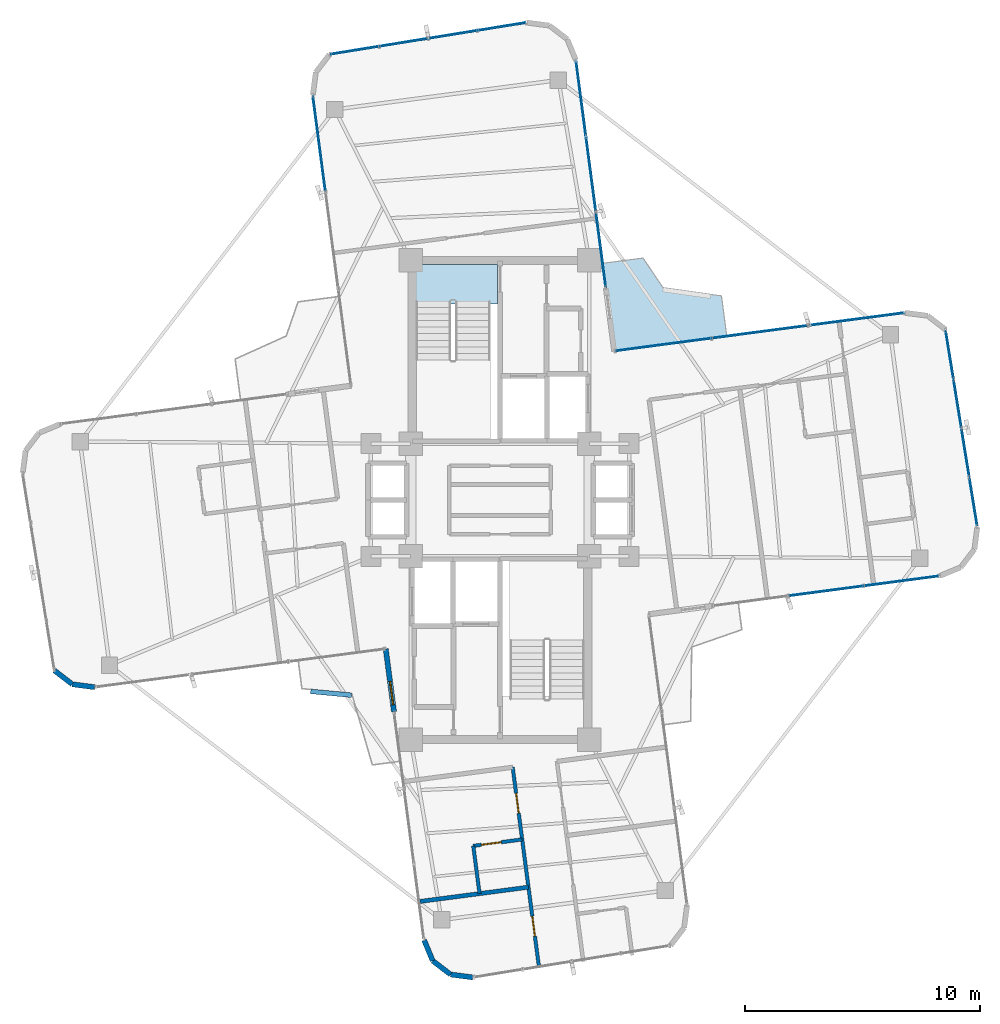
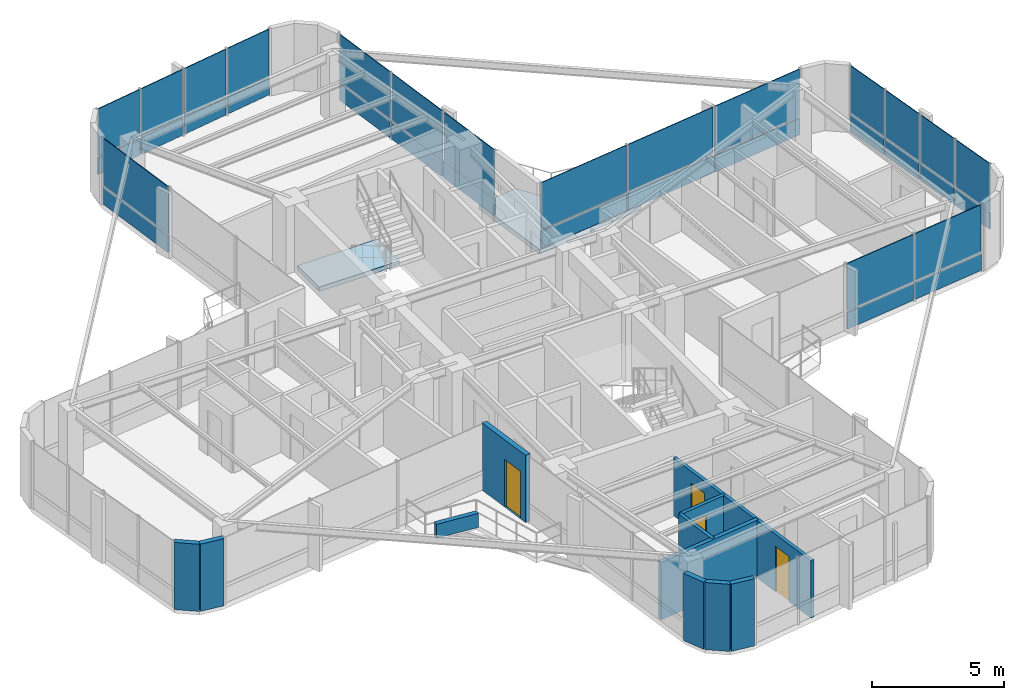
# One storey, part 17 of 21: 34 plates, 11 walls, 4 doors, 2 slabs, 4 openings, 6 elements without a shape of their own.
"""IFC4 building model written with IfcOpenShell, lengths in metres."""

from ifc_helpers import new_model, si_unit, direction, frame, frame_2d, origin, origin_2d, place, context, subcontext, project, spatial, polyline, rectangle, outline, extrude, source, transform, mapped, material, layer, layer_set, type_object, element, fill, aggregate, save


model = new_model("IFC4")

# Units and contexts
model_context = context("Model", 3, precision=1e-05, world=origin(), true_north=direction((0.0, 1.0)))
body_context = subcontext(model_context, "Body", "Model", "MODEL_VIEW")
ifc_project = project(units=[si_unit("LENGTHUNIT", "METRE"), si_unit("AREAUNIT", "SQUARE_METRE"), si_unit("VOLUMEUNIT", "CUBIC_METRE"), si_unit("PLANEANGLEUNIT", "RADIAN"), si_unit("MASSUNIT", "GRAM", prefix="KILO")], contexts=[model_context])

# Site, building, storey
site_placement = place(None, origin())
site = spatial("IfcSite", under=ifc_project, at=site_placement, CompositionType="ELEMENT")
building_placement = place(site_placement, origin())
building = spatial("IfcBuilding", under=site, at=building_placement, Name="Sahyath Konkavel Grand Hotel", CompositionType="ELEMENT")
storey_placement = place(building_placement, frame((0.0, 0.0, 216.550048828125)))
storey = spatial("IfcBuildingStorey", under=building, at=storey_placement, Name="L60", CompositionType="ELEMENT", Elevation=216.550048828125)

# Slabs
ifc_material_1 = material(Name="Concrete C40/50", Category="concrete")
ifc_layer_1 = layer(ifc_material_1, 0.219970703125)
ifc_layer_set_1 = layer_set([ifc_layer_1], Name="Concrete C40/50")
slab_type_1 = type_object("IfcSlabType", Name="SLB-BALCONY-220", PredefinedType="FLOOR", material=ifc_layer_set_1)
slab_1_placement = place(storey_placement, frame((0.0, 0.0, -0.219970703125)))
element("IfcSlab", 1, at=slab_1_placement, inside=storey, type_object=slab_type_1, Name="L60 Winter-Garden Balcony NE", PredefinedType="FLOOR", context=body_context, shape_type="SweptSolid", body=[
    extrude(outline(polyline([(4.8642578125, 6.339111328125), (9.65478515625, 6.9697265625), (9.4287109375, 8.68798828125), (6.936279296875, 9.039794921875), (6.090576171875, 10.301025390625), (4.372314453125, 10.074951171875), (4.8642578125, 6.339111328125)])), origin(), (0.0, 0.0, 1.0), 0.219970703125),
])
ifc_layer_2 = layer(ifc_material_1, 0.199951171875)
ifc_layer_set_2 = layer_set([ifc_layer_2], Name="Concrete C40/50")
slab_type_2 = type_object("IfcSlabType", Name="SLB-STAIR-LND", PredefinedType="LANDING", material=ifc_layer_set_2)
slab_2_placement = place(storey_placement, frame((0.0, 0.0, -0.199951171875)))
element("IfcSlab", 2, at=slab_2_placement, inside=storey, type_object=slab_type_2, Name="L60 Stair ST-1 Floor Landing Slab", PredefinedType="LANDING", context=body_context, shape_type="SweptSolid", body=[
    extrude(outline(polyline([(-3.6201171875, 8.35009765625), (-0.10009765625, 8.35009765625), (-0.10009765625, 10.02001953125), (-3.6201171875, 10.02001953125), (-3.6201171875, 8.35009765625)])), origin(), (0.0, 0.0, 1.0), 0.199951171875),
])

# Curtain wall, plates
ifc_material_2 = material(Name="Anodised Bronze Aluminium & Low-E Glazing", Category="aluminium")
curtain_wall_type = type_object("IfcCurtainWallType", Name="CW-ZONE4", PredefinedType="NOTDEFINED", material=ifc_material_2)
curtain_wall_1_placement = place(storey_placement, origin())
curtain_wall_1 = element("IfcCurtainWall", 3, at=curtain_wall_1_placement, inside=storey, type_object=curtain_wall_type, Name="L60 Unitised Curtain Wall F0", PredefinedType="NOTDEFINED")
ifc_material_3 = material(Name="Warm Buff Sandstone Cladding", Category="masonry")
ifc_layer_3 = layer(ifc_material_3, 0.074951171875)
ifc_layer_set_3 = layer_set([ifc_layer_3], Name="Warm Buff Sandstone Cladding")
plate_type_1 = type_object("IfcPlateType", Name="PNL-SPANDREL-STONE", PredefinedType="SHEET", material=ifc_layer_set_3)
shared_shape_1 = source(origin(), body_context, "Body", "SweptSolid", [
    extrude(rectangle(XDim=3.159912109375, YDim=0.074951171875, at=origin_2d()), origin(), (0.0, 0.0, 1.0), 0.77001953125),
])
plate_1_placement = place(storey_placement, frame((13.8740234375, -3.872314453125, 0.0400390625), z_axis=(0.0, 0.0, 1.0), x_axis=(0.991444861374, 0.13052619222, 0.0)))
plate_1 = element("IfcPlate", 4, at=plate_1_placement, type_object=plate_type_1, Name="L60 Sandstone Relief Spandrel Panel F0-1", PredefinedType="SHEET", context=body_context, shape_type="MappedRepresentation", body=[
    mapped(shared_shape_1, transform((0.0, 0.0, 0.0), scale=1.0)),
])
plate_2_placement = place(storey_placement, frame((17.086181640625, -3.44921875, 0.0400390625), z_axis=(0.0, 0.0, 1.0), x_axis=(0.991444861374, 0.13052619222, 0.0)))
plate_2 = element("IfcPlate", 5, at=plate_2_placement, type_object=plate_type_1, Name="L60 Sandstone Relief Spandrel Panel F0-2", PredefinedType="SHEET", context=body_context, shape_type="MappedRepresentation", body=[
    mapped(shared_shape_1, transform((0.0, 0.0, 0.0), scale=1.0)),
])

curtain_wall_2_placement = place(storey_placement, origin())
curtain_wall_2 = element("IfcCurtainWall", 6, at=curtain_wall_2_placement, inside=storey, type_object=curtain_wall_type, Name="L60 Unitised Curtain Wall F8", PredefinedType="NOTDEFINED")
plate_3_placement = place(storey_placement, frame((4.295166015625, 10.661865234375, 0.0400390625), z_axis=(0.0, 0.0, 1.0), x_axis=(-0.13052619222, 0.991444861374, 0.0)))
plate_3 = element("IfcPlate", 7, at=plate_3_placement, type_object=plate_type_1, Name="L60 Sandstone Relief Spandrel Panel F8-0", PredefinedType="SHEET", context=body_context, shape_type="MappedRepresentation", body=[
    mapped(shared_shape_1, transform((0.0, 0.0, 0.0), scale=1.0)),
])
plate_4_placement = place(storey_placement, frame((3.872314453125, 13.8740234375, 0.0400390625), z_axis=(0.0, 0.0, 1.0), x_axis=(-0.13052619222, 0.991444861374, 0.0)))
plate_4 = element("IfcPlate", 8, at=plate_4_placement, type_object=plate_type_1, Name="L60 Sandstone Relief Spandrel Panel F8-1", PredefinedType="SHEET", context=body_context, shape_type="MappedRepresentation", body=[
    mapped(shared_shape_1, transform((0.0, 0.0, 0.0), scale=1.0)),
])
plate_5_placement = place(storey_placement, frame((3.44921875, 17.086181640625, 0.0400390625), z_axis=(0.0, 0.0, 1.0), x_axis=(-0.13052619222, 0.991444861374, 0.0)))
plate_5 = element("IfcPlate", 9, at=plate_5_placement, type_object=plate_type_1, Name="L60 Sandstone Relief Spandrel Panel F8-2", PredefinedType="SHEET", context=body_context, shape_type="MappedRepresentation", body=[
    mapped(shared_shape_1, transform((0.0, 0.0, 0.0), scale=1.0)),
])

# Plate
ifc_material_4 = material(Name="Low-E Solar Control Double Glazing", Category="glass")
ifc_layer_4 = layer(ifc_material_4, 0.035888671875)
ifc_layer_set_4 = layer_set([ifc_layer_4], Name="Low-E Solar Control Double Glazing")
plate_type_2 = type_object("IfcPlateType", Name="PNL-VISION-LOWE", PredefinedType="CURTAIN_PANEL", material=ifc_layer_set_4)
shared_shape_2 = source(origin(), body_context, "Body", "SweptSolid", [
    extrude(rectangle(XDim=3.159912109375, YDim=0.035888671875, at=origin_2d()), origin(), (0.0, 0.0, 1.0), 2.179931640625),
])
plate_6_placement = place(storey_placement, frame((13.8740234375, -3.872314453125, 0.89013671875), z_axis=(0.0, 0.0, 1.0), x_axis=(0.991444861374, 0.13052619222, 0.0)))
plate_6 = element("IfcPlate", 10, at=plate_6_placement, type_object=plate_type_2, Name="L60 Low-E Vision Glazing Panel F0-1", PredefinedType="CURTAIN_PANEL", context=body_context, shape_type="MappedRepresentation", body=[
    mapped(shared_shape_2, transform((0.0, 0.0, 0.0), scale=1.0)),
])

plate_7_placement = place(storey_placement, frame((17.086181640625, -3.44921875, 0.89013671875), z_axis=(0.0, 0.0, 1.0), x_axis=(0.991444861374, 0.13052619222, 0.0)))
plate_7 = element("IfcPlate", 11, at=plate_7_placement, type_object=plate_type_2, Name="L60 Low-E Vision Glazing Panel F0-2", PredefinedType="CURTAIN_PANEL", context=body_context, shape_type="MappedRepresentation", body=[
    mapped(shared_shape_2, transform((0.0, 0.0, 0.0), scale=1.0)),
])

aggregate(curtain_wall_1, [plate_1, plate_6, plate_2, plate_7])

plate_8_placement = place(storey_placement, frame((4.295166015625, 10.661865234375, 0.89013671875), z_axis=(0.0, 0.0, 1.0), x_axis=(-0.13052619222, 0.991444861374, 0.0)))
plate_8 = element("IfcPlate", 12, at=plate_8_placement, type_object=plate_type_2, Name="L60 Low-E Vision Glazing Panel F8-0", PredefinedType="CURTAIN_PANEL", context=body_context, shape_type="MappedRepresentation", body=[
    mapped(shared_shape_2, transform((0.0, 0.0, 0.0), scale=1.0)),
])

plate_9_placement = place(storey_placement, frame((3.872314453125, 13.8740234375, 0.89013671875), z_axis=(0.0, 0.0, 1.0), x_axis=(-0.13052619222, 0.991444861374, 0.0)))
plate_9 = element("IfcPlate", 13, at=plate_9_placement, type_object=plate_type_2, Name="L60 Low-E Vision Glazing Panel F8-1", PredefinedType="CURTAIN_PANEL", context=body_context, shape_type="MappedRepresentation", body=[
    mapped(shared_shape_2, transform((0.0, 0.0, 0.0), scale=1.0)),
])

plate_10_placement = place(storey_placement, frame((3.44921875, 17.086181640625, 0.89013671875), z_axis=(0.0, 0.0, 1.0), x_axis=(-0.13052619222, 0.991444861374, 0.0)))
plate_10 = element("IfcPlate", 14, at=plate_10_placement, type_object=plate_type_2, Name="L60 Low-E Vision Glazing Panel F8-2", PredefinedType="CURTAIN_PANEL", context=body_context, shape_type="MappedRepresentation", body=[
    mapped(shared_shape_2, transform((0.0, 0.0, 0.0), scale=1.0)),
])

aggregate(curtain_wall_2, [plate_3, plate_8, plate_4, plate_9, plate_5, plate_10])

# Curtain wall, plates
curtain_wall_3_placement = place(storey_placement, origin())
curtain_wall_3 = element("IfcCurtainWall", 15, at=curtain_wall_3_placement, inside=storey, type_object=curtain_wall_type, Name="L60 Unitised Curtain Wall F4", PredefinedType="NOTDEFINED")
shared_shape_3 = source(origin(), body_context, "Body", "SweptSolid", [
    extrude(rectangle(XDim=2.031982421875, YDim=0.074951171875, at=origin_2d()), origin(), (0.0, 0.0, 1.0), 0.77001953125),
])
plate_11_placement = place(storey_placement, frame((20.150390625, -0.074951171875, 0.0400390625), z_axis=(0.0, 0.0, 1.0), x_axis=(-0.159295381124, 0.98723096667, 0.0)))
plate_11 = element("IfcPlate", 16, at=plate_11_placement, type_object=plate_type_1, Name="L60 Sandstone Relief Spandrel Panel F4-0", PredefinedType="SHEET", context=body_context, shape_type="MappedRepresentation", body=[
    mapped(shared_shape_3, transform((0.0, 0.0, 0.0), scale=1.0)),
])
plate_12_placement = place(storey_placement, frame((19.81396484375, 2.01025390625, 0.0400390625), z_axis=(0.0, 0.0, 1.0), x_axis=(-0.159295381124, 0.98723096667, 0.0)))
plate_12 = element("IfcPlate", 17, at=plate_12_placement, type_object=plate_type_1, Name="L60 Sandstone Relief Spandrel Panel F4-1", PredefinedType="SHEET", context=body_context, shape_type="MappedRepresentation", body=[
    mapped(shared_shape_3, transform((0.0, 0.0, 0.0), scale=1.0)),
])
plate_13_placement = place(storey_placement, frame((19.477294921875, 4.095458984375, 0.0400390625), z_axis=(0.0, 0.0, 1.0), x_axis=(-0.159295381124, 0.98723096667, 0.0)))
plate_13 = element("IfcPlate", 18, at=plate_13_placement, type_object=plate_type_1, Name="L60 Sandstone Relief Spandrel Panel F4-2", PredefinedType="SHEET", context=body_context, shape_type="MappedRepresentation", body=[
    mapped(shared_shape_3, transform((0.0, 0.0, 0.0), scale=1.0)),
])
plate_14_placement = place(storey_placement, frame((19.14111328125, 6.1806640625, 0.0400390625), z_axis=(0.0, 0.0, 1.0), x_axis=(-0.159295381124, 0.98723096667, 0.0)))
plate_14 = element("IfcPlate", 19, at=plate_14_placement, type_object=plate_type_1, Name="L60 Sandstone Relief Spandrel Panel F4-3", PredefinedType="SHEET", context=body_context, shape_type="MappedRepresentation", body=[
    mapped(shared_shape_3, transform((0.0, 0.0, 0.0), scale=1.0)),
])

curtain_wall_4_placement = place(storey_placement, origin())
curtain_wall_4 = element("IfcCurtainWall", 20, at=curtain_wall_4_placement, inside=storey, type_object=curtain_wall_type, Name="L60 Unitised Curtain Wall F12", PredefinedType="NOTDEFINED")
plate_15_placement = place(storey_placement, frame((0.074951171875, 20.150390625, 0.0400390625), z_axis=(0.0, 0.0, 1.0), x_axis=(-0.98723096667, -0.159295381124, 0.0)))
plate_15 = element("IfcPlate", 21, at=plate_15_placement, type_object=plate_type_1, Name="L60 Sandstone Relief Spandrel Panel F12-0", PredefinedType="SHEET", context=body_context, shape_type="MappedRepresentation", body=[
    mapped(shared_shape_3, transform((0.0, 0.0, 0.0), scale=1.0)),
])
plate_16_placement = place(storey_placement, frame((-2.01025390625, 19.81396484375, 0.0400390625), z_axis=(0.0, 0.0, 1.0), x_axis=(-0.98723096667, -0.159295381124, 0.0)))
plate_16 = element("IfcPlate", 22, at=plate_16_placement, type_object=plate_type_1, Name="L60 Sandstone Relief Spandrel Panel F12-1", PredefinedType="SHEET", context=body_context, shape_type="MappedRepresentation", body=[
    mapped(shared_shape_3, transform((0.0, 0.0, 0.0), scale=1.0)),
])
plate_17_placement = place(storey_placement, frame((-4.095458984375, 19.477294921875, 0.0400390625), z_axis=(0.0, 0.0, 1.0), x_axis=(-0.98723096667, -0.159295381124, 0.0)))
plate_17 = element("IfcPlate", 23, at=plate_17_placement, type_object=plate_type_1, Name="L60 Sandstone Relief Spandrel Panel F12-2", PredefinedType="SHEET", context=body_context, shape_type="MappedRepresentation", body=[
    mapped(shared_shape_3, transform((0.0, 0.0, 0.0), scale=1.0)),
])
plate_18_placement = place(storey_placement, frame((-6.1806640625, 19.14111328125, 0.0400390625), z_axis=(0.0, 0.0, 1.0), x_axis=(-0.98723096667, -0.159295381124, 0.0)))
plate_18 = element("IfcPlate", 24, at=plate_18_placement, type_object=plate_type_1, Name="L60 Sandstone Relief Spandrel Panel F12-3", PredefinedType="SHEET", context=body_context, shape_type="MappedRepresentation", body=[
    mapped(shared_shape_3, transform((0.0, 0.0, 0.0), scale=1.0)),
])

# Plate
shared_shape_4 = source(origin(), body_context, "Body", "SweptSolid", [
    extrude(rectangle(XDim=2.031982421875, YDim=0.035888671875, at=origin_2d()), origin(), (0.0, 0.0, 1.0), 2.179931640625),
])
plate_19_placement = place(storey_placement, frame((20.150390625, -0.074951171875, 0.89013671875), z_axis=(0.0, 0.0, 1.0), x_axis=(-0.159295381124, 0.98723096667, 0.0)))
plate_19 = element("IfcPlate", 25, at=plate_19_placement, type_object=plate_type_2, Name="L60 Low-E Vision Glazing Panel F4-0", PredefinedType="CURTAIN_PANEL", context=body_context, shape_type="MappedRepresentation", body=[
    mapped(shared_shape_4, transform((0.0, 0.0, 0.0), scale=1.0)),
])

plate_20_placement = place(storey_placement, frame((19.81396484375, 2.01025390625, 0.89013671875), z_axis=(0.0, 0.0, 1.0), x_axis=(-0.159295381124, 0.98723096667, 0.0)))
plate_20 = element("IfcPlate", 26, at=plate_20_placement, type_object=plate_type_2, Name="L60 Low-E Vision Glazing Panel F4-1", PredefinedType="CURTAIN_PANEL", context=body_context, shape_type="MappedRepresentation", body=[
    mapped(shared_shape_4, transform((0.0, 0.0, 0.0), scale=1.0)),
])

plate_21_placement = place(storey_placement, frame((19.477294921875, 4.095458984375, 0.89013671875), z_axis=(0.0, 0.0, 1.0), x_axis=(-0.159295381124, 0.98723096667, 0.0)))
plate_21 = element("IfcPlate", 27, at=plate_21_placement, type_object=plate_type_2, Name="L60 Low-E Vision Glazing Panel F4-2", PredefinedType="CURTAIN_PANEL", context=body_context, shape_type="MappedRepresentation", body=[
    mapped(shared_shape_4, transform((0.0, 0.0, 0.0), scale=1.0)),
])

plate_22_placement = place(storey_placement, frame((19.14111328125, 6.1806640625, 0.89013671875), z_axis=(0.0, 0.0, 1.0), x_axis=(-0.159295381124, 0.98723096667, 0.0)))
plate_22 = element("IfcPlate", 28, at=plate_22_placement, type_object=plate_type_2, Name="L60 Low-E Vision Glazing Panel F4-3", PredefinedType="CURTAIN_PANEL", context=body_context, shape_type="MappedRepresentation", body=[
    mapped(shared_shape_4, transform((0.0, 0.0, 0.0), scale=1.0)),
])

aggregate(curtain_wall_3, [plate_11, plate_19, plate_12, plate_20, plate_13, plate_21, plate_14, plate_22])

plate_23_placement = place(storey_placement, frame((0.074951171875, 20.150390625, 0.89013671875), z_axis=(0.0, 0.0, 1.0), x_axis=(-0.98723096667, -0.159295381124, 0.0)))
plate_23 = element("IfcPlate", 29, at=plate_23_placement, type_object=plate_type_2, Name="L60 Low-E Vision Glazing Panel F12-0", PredefinedType="CURTAIN_PANEL", context=body_context, shape_type="MappedRepresentation", body=[
    mapped(shared_shape_4, transform((0.0, 0.0, 0.0), scale=1.0)),
])

plate_24_placement = place(storey_placement, frame((-2.01025390625, 19.81396484375, 0.89013671875), z_axis=(0.0, 0.0, 1.0), x_axis=(-0.98723096667, -0.159295381124, 0.0)))
plate_24 = element("IfcPlate", 30, at=plate_24_placement, type_object=plate_type_2, Name="L60 Low-E Vision Glazing Panel F12-1", PredefinedType="CURTAIN_PANEL", context=body_context, shape_type="MappedRepresentation", body=[
    mapped(shared_shape_4, transform((0.0, 0.0, 0.0), scale=1.0)),
])

plate_25_placement = place(storey_placement, frame((-4.095458984375, 19.477294921875, 0.89013671875), z_axis=(0.0, 0.0, 1.0), x_axis=(-0.98723096667, -0.159295381124, 0.0)))
plate_25 = element("IfcPlate", 31, at=plate_25_placement, type_object=plate_type_2, Name="L60 Low-E Vision Glazing Panel F12-2", PredefinedType="CURTAIN_PANEL", context=body_context, shape_type="MappedRepresentation", body=[
    mapped(shared_shape_4, transform((0.0, 0.0, 0.0), scale=1.0)),
])

plate_26_placement = place(storey_placement, frame((-6.1806640625, 19.14111328125, 0.89013671875), z_axis=(0.0, 0.0, 1.0), x_axis=(-0.98723096667, -0.159295381124, 0.0)))
plate_26 = element("IfcPlate", 32, at=plate_26_placement, type_object=plate_type_2, Name="L60 Low-E Vision Glazing Panel F12-3", PredefinedType="CURTAIN_PANEL", context=body_context, shape_type="MappedRepresentation", body=[
    mapped(shared_shape_4, transform((0.0, 0.0, 0.0), scale=1.0)),
])

aggregate(curtain_wall_4, [plate_15, plate_23, plate_16, plate_24, plate_17, plate_25, plate_18, plate_26])

# Curtain wall, plates
curtain_wall_5_placement = place(storey_placement, origin())
curtain_wall_5 = element("IfcCurtainWall", 33, at=curtain_wall_5_placement, inside=storey, type_object=curtain_wall_type, Name="L60 Unitised Curtain Wall F7", PredefinedType="NOTDEFINED")
shared_shape_5 = source(origin(), body_context, "Body", "SweptSolid", [
    extrude(rectangle(XDim=4.06005859375, YDim=0.074951171875, at=origin_2d()), origin(), (0.0, 0.0, 1.0), 0.77001953125),
])
plate_27_placement = place(storey_placement, frame((15.165283203125, 7.6953125, 0.0400390625), z_axis=(0.0, 0.0, 1.0), x_axis=(-0.991444861374, -0.13052619222, 0.0)))
plate_27 = element("IfcPlate", 34, at=plate_27_placement, type_object=plate_type_1, Name="L60 Sandstone Relief Spandrel Panel F7-0", PredefinedType="SHEET", context=body_context, shape_type="MappedRepresentation", body=[
    mapped(shared_shape_5, transform((0.0, 0.0, 0.0), scale=1.0)),
])
plate_28_placement = place(storey_placement, frame((11.060791015625, 7.15478515625, 0.0400390625), z_axis=(0.0, 0.0, 1.0), x_axis=(-0.991444861374, -0.13052619222, 0.0)))
plate_28 = element("IfcPlate", 35, at=plate_28_placement, type_object=plate_type_1, Name="L60 Sandstone Relief Spandrel Panel F7-1", PredefinedType="SHEET", context=body_context, shape_type="MappedRepresentation", body=[
    mapped(shared_shape_5, transform((0.0, 0.0, 0.0), scale=1.0)),
])
plate_29_placement = place(storey_placement, frame((6.956298828125, 6.614501953125, 0.0400390625), z_axis=(0.0, 0.0, 1.0), x_axis=(-0.991444861374, -0.13052619222, 0.0)))
plate_29 = element("IfcPlate", 36, at=plate_29_placement, type_object=plate_type_1, Name="L60 Sandstone Relief Spandrel Panel F7-2", PredefinedType="SHEET", context=body_context, shape_type="MappedRepresentation", body=[
    mapped(shared_shape_5, transform((0.0, 0.0, 0.0), scale=1.0)),
])

# Curtain wall, plate
curtain_wall_6_placement = place(storey_placement, origin())
curtain_wall_6 = element("IfcCurtainWall", 37, at=curtain_wall_6_placement, inside=storey, type_object=curtain_wall_type, Name="L60 Unitised Curtain Wall F15", PredefinedType="NOTDEFINED")
plate_30_placement = place(storey_placement, frame((-7.6953125, 15.165283203125, 0.0400390625), z_axis=(0.0, 0.0, 1.0), x_axis=(0.13052619222, -0.991444861374, 0.0)))
plate_30 = element("IfcPlate", 38, at=plate_30_placement, type_object=plate_type_1, Name="L60 Sandstone Relief Spandrel Panel F15-0", PredefinedType="SHEET", context=body_context, shape_type="MappedRepresentation", body=[
    mapped(shared_shape_5, transform((0.0, 0.0, 0.0), scale=1.0)),
])

# Plate
shared_shape_6 = source(origin(), body_context, "Body", "SweptSolid", [
    extrude(rectangle(XDim=4.06005859375, YDim=0.035888671875, at=origin_2d()), origin(), (0.0, 0.0, 1.0), 2.179931640625),
])
plate_31_placement = place(storey_placement, frame((15.165283203125, 7.6953125, 0.89013671875), z_axis=(0.0, 0.0, 1.0), x_axis=(-0.991444861374, -0.13052619222, 0.0)))
plate_31 = element("IfcPlate", 39, at=plate_31_placement, type_object=plate_type_2, Name="L60 Low-E Vision Glazing Panel F7-0", PredefinedType="CURTAIN_PANEL", context=body_context, shape_type="MappedRepresentation", body=[
    mapped(shared_shape_6, transform((0.0, 0.0, 0.0), scale=1.0)),
])

plate_32_placement = place(storey_placement, frame((11.060791015625, 7.15478515625, 0.89013671875), z_axis=(0.0, 0.0, 1.0), x_axis=(-0.991444861374, -0.13052619222, 0.0)))
plate_32 = element("IfcPlate", 40, at=plate_32_placement, type_object=plate_type_2, Name="L60 Low-E Vision Glazing Panel F7-1", PredefinedType="CURTAIN_PANEL", context=body_context, shape_type="MappedRepresentation", body=[
    mapped(shared_shape_6, transform((0.0, 0.0, 0.0), scale=1.0)),
])

plate_33_placement = place(storey_placement, frame((6.956298828125, 6.614501953125, 0.89013671875), z_axis=(0.0, 0.0, 1.0), x_axis=(-0.991444861374, -0.13052619222, 0.0)))
plate_33 = element("IfcPlate", 41, at=plate_33_placement, type_object=plate_type_2, Name="L60 Low-E Vision Glazing Panel F7-2", PredefinedType="CURTAIN_PANEL", context=body_context, shape_type="MappedRepresentation", body=[
    mapped(shared_shape_6, transform((0.0, 0.0, 0.0), scale=1.0)),
])

aggregate(curtain_wall_5, [plate_27, plate_31, plate_28, plate_32, plate_29, plate_33])

plate_34_placement = place(storey_placement, frame((-7.6953125, 15.165283203125, 0.89013671875), z_axis=(0.0, 0.0, 1.0), x_axis=(0.13052619222, -0.991444861374, 0.0)))
plate_34 = element("IfcPlate", 42, at=plate_34_placement, type_object=plate_type_2, Name="L60 Low-E Vision Glazing Panel F15-0", PredefinedType="CURTAIN_PANEL", context=body_context, shape_type="MappedRepresentation", body=[
    mapped(shared_shape_6, transform((0.0, 0.0, 0.0), scale=1.0)),
])

aggregate(curtain_wall_6, [plate_30, plate_34])

# Walls
ifc_material_5 = material(Name="Warm Buff Sandstone Insulated Concrete C40/50", Category="masonry")
ifc_layer_5 = layer(ifc_material_5, 0.219970703125)
ifc_layer_set_5 = layer_set([ifc_layer_5], Name="Warm Buff Sandstone Insulated Concrete C40/50")
wall_type_1 = type_object("IfcWallType", Name="WLL-BALC-THRESH", PredefinedType="STANDARD", material=ifc_layer_set_5)
wall_1_placement = place(storey_placement, frame((-18.96630859375, -7.2626953125, 0.0), z_axis=(0.0, 0.0, 1.0), x_axis=(0.793249178392, -0.608897151398, 0.0)))
element("IfcWall", 43, at=wall_1_placement, inside=storey, type_object=wall_type_1, Name="L60 Rounded Corner Sandstone Pier 21", PredefinedType="STANDARD", context=body_context, shape_type="SweptSolid", body=[
    extrude(rectangle(XDim=0.95751953125, YDim=0.219970703125, at=frame_2d((0.478759765625, 0.0))), origin(), (0.0, 0.0, 1.0), 3.10986328125),
])
wall_2_placement = place(storey_placement, frame((-18.206787109375, -7.845703125, 0.0), z_axis=(0.0, 0.0, 1.0), x_axis=(0.991444747987, -0.130527053476, 0.0)))
element("IfcWall", 44, at=wall_2_placement, inside=storey, type_object=wall_type_1, Name="L60 Rounded Corner Sandstone Pier 22", PredefinedType="STANDARD", context=body_context, shape_type="SweptSolid", body=[
    extrude(rectangle(XDim=0.957763671875, YDim=0.219970703125, at=frame_2d((0.47900390625, 0.0))), origin(), (0.0, 0.0, 1.0), 3.10986328125),
])

# Wall, opening, door
wall_3_placement = place(storey_placement, frame((-4.8642578125, -6.339111328125, 0.0), z_axis=(0.0, 0.0, 1.0), x_axis=(0.130564442062, -0.991439824936, 0.0)))
wall_3 = element("IfcWall", 45, at=wall_3_placement, inside=storey, type_object=wall_type_1, Name="L60 Winter-Garden Threshold Wall 24", PredefinedType="STANDARD", context=body_context, shape_type="SweptSolid", body=[
    extrude(rectangle(XDim=2.7001953125, YDim=0.219970703125, at=frame_2d((1.35009765625, 0.0))), origin(), (0.0, 0.0, 1.0), 3.10986328125),
])
opening_1_placement = place(wall_3_placement, frame((1.39990234375, 0.0, 0.0)))
opening_1 = element("IfcOpeningElement", 46, at=opening_1_placement, cuts=wall_3, Name="Opening D-TR1", PredefinedType="OPENING", context=body_context, shape_type="SweptSolid", body=[
    extrude(rectangle(XDim=1.0, YDim=2.199951171875, at=frame_2d((0.5, 1.10009765625))), frame((0.0, 0.1201171875, 0.0), z_axis=(0.0, -1.0, 0.0), x_axis=(1.0, 0.0, 0.0)), (0.0, 0.0, 1.0), 0.239990234375),
])
door_type_1 = type_object("IfcDoorType", Name="DR-TERRACE-1000", OperationType="NOTDEFINED", PredefinedType="DOOR", material=ifc_material_2)
shared_shape_7 = source(origin(), body_context, "Body", "SweptSolid", [
    extrude(rectangle(XDim=1.0, YDim=0.050048828125, at=origin_2d()), origin(), (0.0, 0.0, 1.0), 2.199951171875),
])
door_1_placement = place(opening_1_placement, frame((0.5, 0.0, 0.0)))
door_1 = element("IfcDoor", 47, at=door_1_placement, inside=storey, type_object=door_type_1, Name="L60 Winter-Garden Terrace Door 24", OperationType="SINGLE_SWING_LEFT", OverallHeight=2.199951171875, OverallWidth=1.0, PredefinedType="DOOR", context=body_context, shape_type="MappedRepresentation", body=[
    mapped(shared_shape_7, transform((0.0, 0.0, 0.0), scale=1.0)),
])
fill(opening_1, door_1)

# Walls
for number, where, z_axis, x_axis, name in (
    (48, (-3.232666015625, -18.732177734375, 0.0), (0.0, 0.0, 1.0), (0.382659506909, -0.923889442397, 0.0), "L60 Rounded Corner Sandstone Pier 25"),
    (49, (-2.8662109375, -19.616943359375, 0.0), (0.0, 0.0, 1.0), (0.793343685778, -0.608774010809, 0.0), "L60 Rounded Corner Sandstone Pier 26"),
    (50, (-2.1064453125, -20.199951171875, 0.0), (0.0, 0.0, 1.0), (0.991444747987, -0.130527053476, 0.0), "L60 Rounded Corner Sandstone Pier 27"),
):
    element("IfcWall", number, at=place(storey_placement, frame(where, z_axis=z_axis, x_axis=x_axis)), inside=storey, type_object=wall_type_1, Name=name, PredefinedType="STANDARD", context=body_context, shape_type="SweptSolid", body=[
        extrude(rectangle(XDim=0.957763671875, YDim=0.219970703125, at=frame_2d((0.47900390625, 0.0))), origin(), (0.0, 0.0, 1.0), 3.10986328125),
    ])
ifc_material_6 = material(Name="Twin-Stud Acoustic Gypsum Plasterboard Partition")
ifc_layer_6 = layer(ifc_material_6, 0.179931640625)
ifc_layer_set_6 = layer_set([ifc_layer_6], Name="Twin-Stud Acoustic Gypsum Plasterboard Partition")
wall_type_2 = type_object("IfcWallType", Name="WLL-DEMISE-180", PredefinedType="PARTITIONING", material=ifc_layer_set_6)
wall_4_placement = place(storey_placement, frame((1.2119140625, -16.48291015625, 0.0), z_axis=(0.0, 0.0, 1.0), x_axis=(-0.991445715827, -0.13051970184, 0.0)))
element("IfcWall", 51, at=wall_4_placement, inside=storey, type_object=wall_type_2, Name="L60 Partition S-S1R-DEM", PredefinedType="PARTITIONING", context=body_context, shape_type="SweptSolid", body=[
    extrude(rectangle(XDim=4.650146484375, YDim=0.179931640625, at=frame_2d((2.3251953125, 0.0))), origin(), (0.0, 0.0, 1.0), 2.659912109375),
])

# Wall, openings, doors
ifc_material_7 = material(Name="Fire-Rated Gypsum Plasterboard Partition")
ifc_layer_7 = layer(ifc_material_7, 0.14990234375)
ifc_layer_set_7 = layer_set([ifc_layer_7], Name="Fire-Rated Gypsum Plasterboard Partition")
wall_type_3 = type_object("IfcWallType", Name="WLL-PART-150", PredefinedType="PARTITIONING", material=ifc_layer_set_7)
wall_5_placement = place(storey_placement, frame((0.53955078125, -11.376953125, 0.0), z_axis=(0.0, 0.0, 1.0), x_axis=(0.130530885115, -0.991444243531, 0.0)))
wall_5 = element("IfcWall", 52, at=wall_5_placement, inside=storey, type_object=wall_type_3, Name="L60 Partition S-CR", PredefinedType="PARTITIONING", context=body_context, shape_type="SweptSolid", body=[
    extrude(rectangle(XDim=8.599853515625, YDim=0.14990234375, at=frame_2d((4.2998046875, 0.0))), origin(), (0.0, 0.0, 1.0), 2.659912109375),
])
opening_2_placement = place(wall_5_placement, frame((1.125, 0.0, 0.0)))
opening_2 = element("IfcOpeningElement", 53, at=opening_2_placement, cuts=wall_5, Name="Opening D-F06D", PredefinedType="OPENING", context=body_context, shape_type="SweptSolid", body=[
    extrude(rectangle(XDim=0.85009765625, YDim=2.10009765625, at=frame_2d((0.425048828125, 1.050048828125))), frame((0.0, 0.0849609375, 0.0), z_axis=(0.0, -1.0, 0.0), x_axis=(1.0, 0.0, 0.0)), (0.0, 0.0, 1.0), 0.169921875),
])
opening_3_placement = place(wall_5_placement, frame((6.39990234375, 0.0, 0.0)))
opening_3 = element("IfcOpeningElement", 54, at=opening_3_placement, cuts=wall_5, Name="Opening D-F06D", PredefinedType="OPENING", context=body_context, shape_type="SweptSolid", body=[
    extrude(rectangle(XDim=0.85009765625, YDim=2.10009765625, at=frame_2d((0.425048828125, 1.050048828125))), frame((0.0, 0.0849609375, 0.0), z_axis=(0.0, -1.0, 0.0), x_axis=(1.0, 0.0, 0.0)), (0.0, 0.0, 1.0), 0.169921875),
])
ifc_material_8 = material(Name="Fire-Rated Shaft Access Door")
door_type_2 = type_object("IfcDoorType", Name="DR-FD60-850", OperationType="NOTDEFINED", PredefinedType="DOOR", material=ifc_material_8)
shared_shape_8 = source(origin(), body_context, "Body", "SweptSolid", [
    extrude(rectangle(XDim=0.85009765625, YDim=0.050048828125, at=origin_2d()), origin(), (0.0, 0.0, 1.0), 2.10009765625),
])
door_2_placement = place(opening_2_placement, frame((0.425048828125, 0.0, 0.0)))
door_2 = element("IfcDoor", 55, at=door_2_placement, inside=storey, type_object=door_type_2, Name="L60 Door S-S1R-ED", OperationType="SINGLE_SWING_RIGHT", OverallHeight=2.10009765625, OverallWidth=0.85009765625, PredefinedType="DOOR", context=body_context, shape_type="MappedRepresentation", body=[
    mapped(shared_shape_8, transform((0.0, 0.0, 0.0), scale=1.0)),
])
fill(opening_2, door_2)
door_3_placement = place(opening_3_placement, frame((0.425048828125, 0.0, 0.0)))
door_3 = element("IfcDoor", 56, at=door_3_placement, inside=storey, type_object=door_type_2, Name="L60 Door S-S2R-D", OperationType="SINGLE_SWING_LEFT", OverallHeight=2.10009765625, OverallWidth=0.85009765625, PredefinedType="DOOR", context=body_context, shape_type="MappedRepresentation", body=[
    mapped(shared_shape_8, transform((0.0, 0.0, 0.0), scale=1.0)),
])
fill(opening_3, door_3)

# Wall, opening, door
wall_6_placement = place(storey_placement, frame((0.944091796875, -14.450439453125, 0.0), z_axis=(0.0, 0.0, 1.0), x_axis=(-0.991438854462, -0.130571811136, 0.0)))
wall_6 = element("IfcWall", 57, at=wall_6_placement, inside=storey, type_object=wall_type_3, Name="L60 Partition S-S1R-BS", PredefinedType="PARTITIONING", context=body_context, shape_type="SweptSolid", body=[
    extrude(rectangle(XDim=2.099853515625, YDim=0.14990234375, at=frame_2d((1.0498046875, 0.0))), origin(), (0.0, 0.0, 1.0), 2.659912109375),
])
opening_4_placement = place(wall_6_placement, frame((0.89990234375, 0.0, 0.0)))
opening_4 = element("IfcOpeningElement", 58, at=opening_4_placement, cuts=wall_6, Name="Opening D-BT85", PredefinedType="OPENING", context=body_context, shape_type="SweptSolid", body=[
    extrude(rectangle(XDim=0.85009765625, YDim=2.10009765625, at=frame_2d((0.425048828125, 1.050048828125))), frame((0.0, 0.0849609375, 0.0), z_axis=(0.0, -1.0, 0.0), x_axis=(1.0, 0.0, 0.0)), (0.0, 0.0, 1.0), 0.169921875),
])
ifc_material_9 = material(Name="Moisture-Resistant Teak Bathroom Door")
door_type_3 = type_object("IfcDoorType", Name="DR-BATH-850", OperationType="NOTDEFINED", PredefinedType="DOOR", material=ifc_material_9)
door_4_placement = place(opening_4_placement, frame((0.425048828125, 0.0, 0.0)))
door_4 = element("IfcDoor", 59, at=door_4_placement, inside=storey, type_object=door_type_3, Name="L60 Door S-S1R-BD", OperationType="SINGLE_SWING_LEFT", OverallHeight=2.10009765625, OverallWidth=0.85009765625, PredefinedType="DOOR", context=body_context, shape_type="MappedRepresentation", body=[
    mapped(shared_shape_8, transform((0.0, 0.0, 0.0), scale=1.0)),
])
fill(opening_4, door_4)

# Walls
wall_7_placement = place(storey_placement, frame((-1.1376953125, -14.724609375, 0.0), z_axis=(0.0, 0.0, 1.0), x_axis=(0.130540781221, -0.991442940586, 0.0)))
element("IfcWall", 60, at=wall_7_placement, inside=storey, type_object=wall_type_3, Name="L60 Partition S-S1R-BF", PredefinedType="PARTITIONING", context=body_context, shape_type="SweptSolid", body=[
    extrude(rectangle(XDim=2.0498046875, YDim=0.14990234375, at=frame_2d((1.02490234375, 0.0))), origin(), (0.0, 0.0, 1.0), 2.659912109375),
])
ifc_material_10 = material(Name="Warm Buff Sandstone Planter Wall", Category="masonry")
ifc_layer_8 = layer(ifc_material_10, 0.199951171875)
ifc_layer_set_8 = layer_set([ifc_layer_8], Name="Warm Buff Sandstone Planter Wall")
wall_type_4 = type_object("IfcWallType", Name="WLL-PLANTER-200", PredefinedType="PARAPET", material=ifc_layer_set_8)
wall_8_placement = place(storey_placement, frame((-8.05859375, -8.1484375, 0.0), z_axis=(0.0, 0.0, 1.0), x_axis=(0.995612263096, -0.093574684464, 0.0)))
element("IfcWall", 61, at=wall_8_placement, inside=storey, type_object=wall_type_4, Name="L60 Sky-Garden Stone Planter PLANTER SW", PredefinedType="PARAPET", context=body_context, shape_type="SweptSolid", body=[
    extrude(rectangle(XDim=1.745361328125, YDim=0.199951171875, at=frame_2d((0.87255859375, 0.0))), origin(), (0.0, 0.0, 1.0), 0.64990234375),
])

save(model, "model.ifc")
